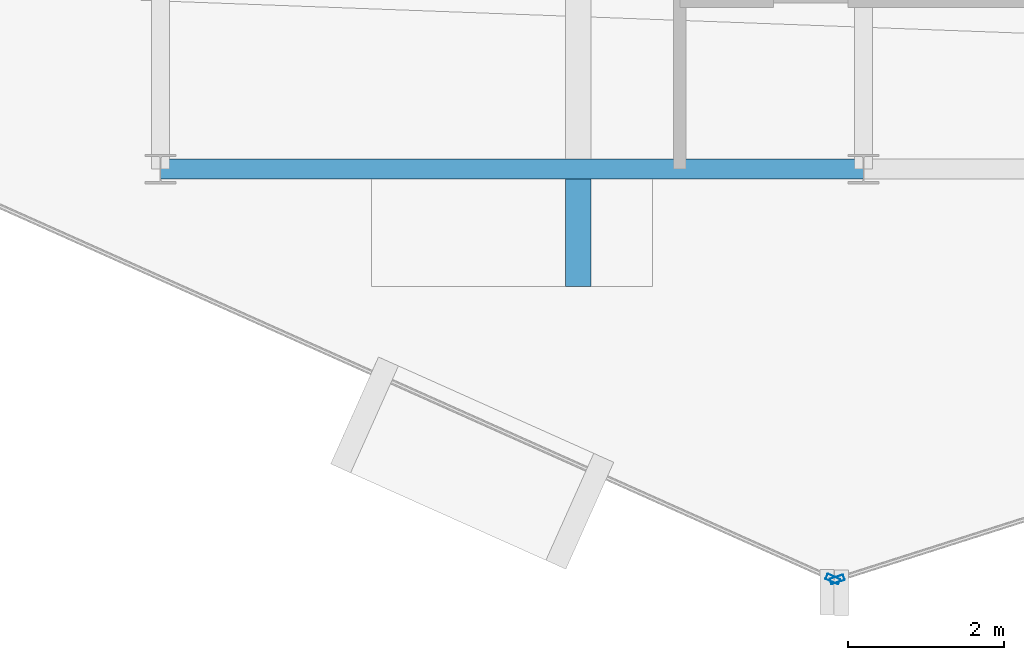
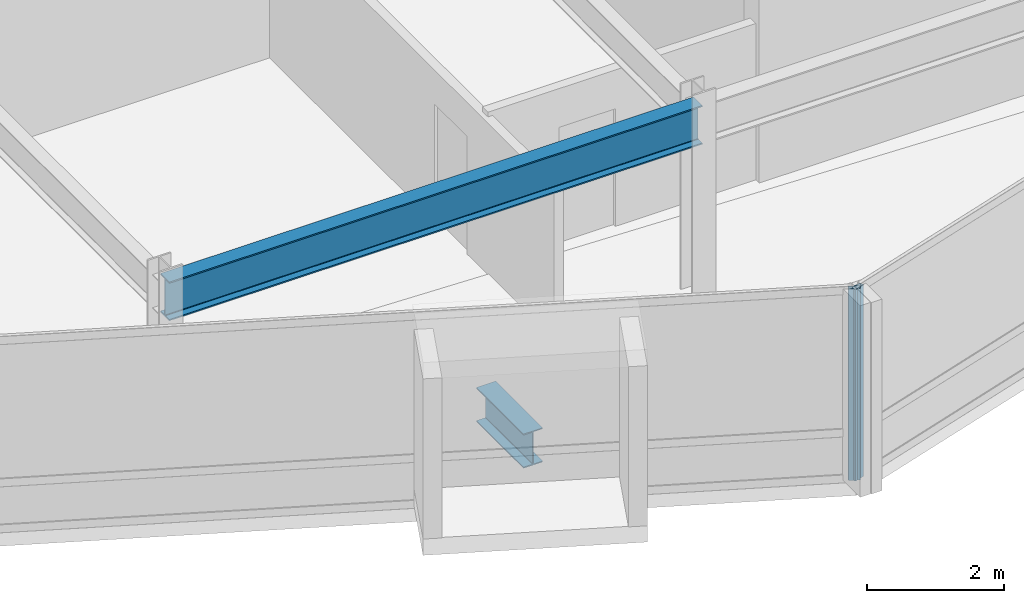
# One storey, part 4 of 19: 2 beams, 2 members, 2 elements without a shape of their own.
"""IFC4 building model written with IfcOpenShell, lengths in metres."""

from ifc_helpers import new_model, si_unit, direction, frame, origin, origin_2d, place, context, subcontext, project, spatial, hollow_rectangle, i_section, extrude, material, layer, layer_set, material_profile, profile_set, type_object, element, aggregate, save


model = new_model("IFC4")

# Units and contexts
model_context = context("Model", 3, precision=1e-05, world=origin(), true_north=direction((0.0, 1.0)))
body_context = subcontext(model_context, "Body", "Model", "MODEL_VIEW")
ifc_project = project(units=[si_unit("LENGTHUNIT", "METRE"), si_unit("AREAUNIT", "SQUARE_METRE"), si_unit("VOLUMEUNIT", "CUBIC_METRE"), si_unit("PLANEANGLEUNIT", "RADIAN"), si_unit("MASSUNIT", "GRAM", prefix="KILO")], contexts=[model_context])

# Site, building, storey
site_placement = place(None, origin())
site = spatial("IfcSite", under=ifc_project, at=site_placement, CompositionType="ELEMENT")
building_placement = place(site_placement, origin())
building = spatial("IfcBuilding", under=site, at=building_placement, Name="Solvaryn Broadcast Tower", CompositionType="ELEMENT")
storey_placement = place(building_placement, frame((0.0, 0.0, 274.10009765625)))
storey = spatial("IfcBuildingStorey", under=building, at=storey_placement, Name="L69", CompositionType="ELEMENT", Elevation=274.10009765625)

# Beams
ifc_material_1 = material(Name="Steel ASTM A992 Grade 50", Category="steel")
ifc_material_profile_1 = material_profile(ifc_material_1, i_section(OverallWidth=0.323974609375, OverallDepth=0.611083984375, WebThickness=0.0126953125, FlangeThickness=0.01904296875, FilletRadius=0.014892578125, at=origin_2d()))
ifc_profile_set_1 = profile_set([ifc_material_profile_1], Name="Steel ASTM A992 Grade 50")
beam_type_1 = type_object("IfcBeamType", Name="BM-CANT-TER", PredefinedType="BEAM", material=ifc_profile_set_1)
beam_1_placement = place(storey_placement, frame((23.35009765625, 8.875, -0.585693359375), z_axis=(0.0, -1.0, 0.0), x_axis=(1.0, 0.0, 0.0)))
element("IfcBeam", 1, at=beam_1_placement, inside=storey, type_object=beam_type_1, Name="L69 Bay-Box Cantilever Bracket 1", PredefinedType="BEAM", context=body_context, shape_type="SweptSolid", body=[
    extrude(i_section(OverallWidth=0.323974609375, OverallDepth=0.611083984375, WebThickness=0.0126953125, FlangeThickness=0.01904296875, FilletRadius=0.014892578125, at=origin_2d()), origin(), (0.0, 0.0, 1.0), 1.375),
])
ifc_material_2 = material(Name="Steel ASTM A992 Grade 50", Category="steel")
ifc_material_profile_2 = material_profile(ifc_material_2, i_section(OverallWidth=0.256103515625, OverallDepth=0.693115234375, WebThickness=0.014404296875, FlangeThickness=0.023681640625, FilletRadius=0.01611328125, at=origin_2d()))
ifc_profile_set_2 = profile_set([ifc_material_profile_2], Name="Steel ASTM A992 Grade 50")
beam_type_2 = type_object("IfcBeamType", Name="BM-SP3-W27X114", PredefinedType="USERDEFINED", material=ifc_profile_set_2)
beam_2_placement = place(storey_placement, frame((18.0, 9.0, 3.073486328125), z_axis=(1.0, 0.0, 0.0), x_axis=(0.0, 1.0, 0.0)))
element("IfcBeam", 2, at=beam_2_placement, inside=storey, type_object=beam_type_2, Name="L69 Spandrel Beam X (18-27 @ Y=9)", ObjectType="SPANDREL", PredefinedType="USERDEFINED", context=body_context, shape_type="SweptSolid", body=[
    extrude(i_section(OverallWidth=0.256103515625, OverallDepth=0.693115234375, WebThickness=0.014404296875, FlangeThickness=0.023681640625, FilletRadius=0.01611328125, at=origin_2d()), origin(), (0.0, 0.0, 1.0), 9.0),
])

# Curtain wall, member
ifc_material_3 = material(Name="Aluminium and Terracotta Unitised Curtain Wall", Category="masonry")
ifc_layer = layer(ifc_material_3, 0.199951171875)
ifc_layer_set = layer_set([ifc_layer], Name="CW-SYS2-LOWMID")
curtain_wall_type = type_object("IfcCurtainWallType", Name="CW-SYS2-LOWMID", PredefinedType="NOTDEFINED", material=ifc_layer_set)
curtain_wall_1_placement = place(storey_placement, origin())
curtain_wall_1 = element("IfcCurtainWall", 3, at=curtain_wall_1_placement, inside=storey, type_object=curtain_wall_type, Name="L69 Curtain Wall DR3", PredefinedType="NOTDEFINED")
ifc_material_4 = material(Name="Anodised Aluminium 6063-T6", Category="aluminium")
ifc_material_profile_3 = material_profile(ifc_material_4, hollow_rectangle(XDim=0.074951171875, YDim=0.179931640625, WallThickness=0.00390625, InnerFilletRadius=0.00390625, OuterFilletRadius=0.008056640625, at=origin_2d()))
ifc_profile_set_3 = profile_set([ifc_material_profile_3], Name="Anodised Aluminium 6063-T6")
member_type = type_object("IfcMemberType", Name="CW-MUL-180", PredefinedType="MULLION", material=ifc_profile_set_3)
member_1_placement = place(storey_placement, frame((26.608642578125, 3.750244140625, 0.0), z_axis=(0.0, 0.0, 1.0), x_axis=(0.408466010682, 0.912773530574, 0.0)))
member_1 = element("IfcMember", 4, at=member_1_placement, type_object=member_type, Name="CWS2 mullion 2", PredefinedType="MULLION", context=body_context, shape_type="SweptSolid", body=[
    extrude(hollow_rectangle(XDim=0.074951171875, YDim=0.179931640625, WallThickness=0.00390625, InnerFilletRadius=0.00390625, OuterFilletRadius=0.008056640625, at=origin_2d()), origin(), (0.0, 0.0, 1.0), 3.419921875),
])
aggregate(curtain_wall_1, [member_1])

curtain_wall_2_placement = place(storey_placement, origin())
curtain_wall_2 = element("IfcCurtainWall", 5, at=curtain_wall_2_placement, inside=storey, type_object=curtain_wall_type, Name="L69 Curtain Wall DR4", PredefinedType="NOTDEFINED")
member_2_placement = place(storey_placement, frame((26.66455078125, 3.7470703125, 0.0), z_axis=(0.0, 0.0, 1.0), x_axis=(-0.30361564569, 0.952794594701, 0.0)))
member_2 = element("IfcMember", 6, at=member_2_placement, type_object=member_type, Name="CWS2 mullion 1", PredefinedType="MULLION", context=body_context, shape_type="SweptSolid", body=[
    extrude(hollow_rectangle(XDim=0.074951171875, YDim=0.179931640625, WallThickness=0.00390625, InnerFilletRadius=0.00390625, OuterFilletRadius=0.008056640625, at=origin_2d()), origin(), (0.0, 0.0, 1.0), 3.419921875),
])
aggregate(curtain_wall_2, [member_2])

save(model, "model.ifc")
